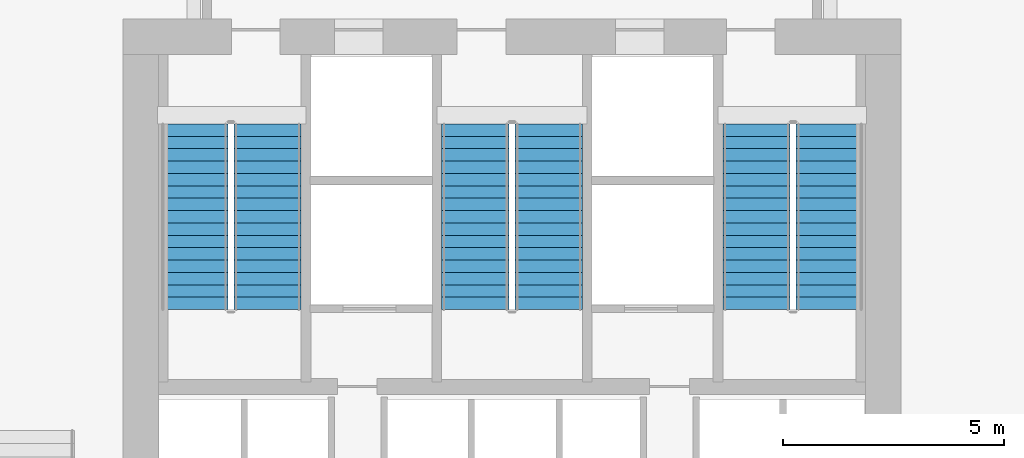
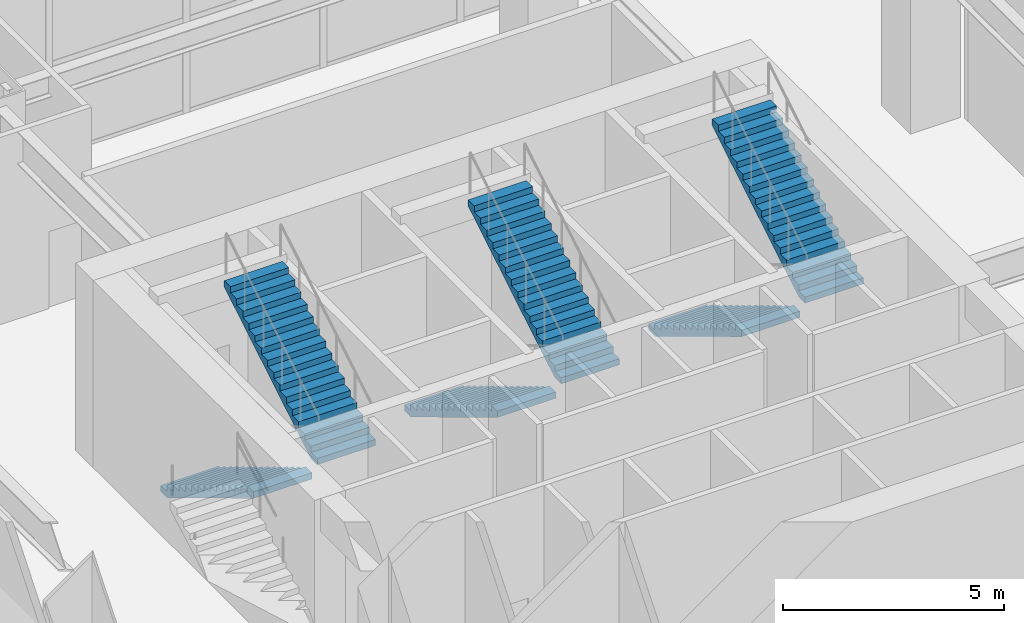
# One storey, part 31 of 37: 6 stair flights, 3 elements without a shape of their own.
"""IFC4 building model written with IfcOpenShell, lengths in metres."""

from ifc_helpers import new_model, si_unit, direction, frame, origin, place, context, subcontext, project, spatial, polyline, outline, extrude, material, type_object, element, aggregate, save


model = new_model("IFC4")

# Units and contexts
model_context = context("Model", 3, precision=1e-05, world=origin(), true_north=direction((0.0, 1.0)))
body_context = subcontext(model_context, "Body", "Model", "MODEL_VIEW")
ifc_project = project(units=[si_unit("LENGTHUNIT", "METRE"), si_unit("AREAUNIT", "SQUARE_METRE"), si_unit("VOLUMEUNIT", "CUBIC_METRE"), si_unit("PLANEANGLEUNIT", "RADIAN"), si_unit("MASSUNIT", "GRAM", prefix="KILO")], contexts=[model_context])

# Site, building, storey
site_placement = place(None, origin())
site = spatial("IfcSite", under=ifc_project, at=site_placement, CompositionType="ELEMENT")
building_placement = place(site_placement, origin())
building = spatial("IfcBuilding", under=site, at=building_placement, Name="Haolan Belvedere Tower", CompositionType="ELEMENT")
storey_placement = place(building_placement, frame((0.0, 0.0, 10.199951171875)))
storey = spatial("IfcBuildingStorey", under=building, at=storey_placement, Name="L02", CompositionType="ELEMENT", Elevation=10.199951171875)

# Stair, stair flights
ifc_material = material(Name="Concrete C40/50", Category="concrete")
stair_type = type_object("IfcStairType", Name="STR-DL-32R-169", PredefinedType="HALF_TURN_STAIR", material=ifc_material)
stair_1_placement = place(storey_placement, origin())
stair_1 = element("IfcStair", 1, at=stair_1_placement, inside=storey, type_object=stair_type, Name="L02 Smokeproof Core Exit Stair ST1", PredefinedType="HALF_TURN_STAIR")
stair_flight_type = type_object("IfcStairFlightType", Name="SFL-DL-16R-169", PredefinedType="STRAIGHT", material=ifc_material)
stair_flight_1_placement = place(storey_placement, frame((31.2099609375, 41.22998046875, 0.0), z_axis=(0.0, 0.0, 1.0), x_axis=(0.0, -1.0, 0.0)))
stair_flight_1 = element("IfcStairFlight", 2, at=stair_flight_1_placement, type_object=stair_flight_type, Name="ST1 flight 1", NumberOfRisers=16, NumberOfTreads=15, PredefinedType="STRAIGHT", RiserHeight=0.16875, TreadLength=0.28, context=body_context, shape_type="SweptSolid", body=[
    extrude(outline(polyline([(0.0, 0.0), (0.0, 0.168701171875), (0.280029296875, 0.168701171875), (0.280029296875, 0.33740234375), (0.56005859375, 0.33740234375), (0.56005859375, 0.50634765625), (0.840087890625, 0.50634765625), (0.840087890625, 0.675048828125), (1.1201171875, 0.675048828125), (1.1201171875, 0.84375), (1.39990234375, 0.84375), (1.39990234375, 1.012451171875), (1.679931640625, 1.012451171875), (1.679931640625, 1.18115234375), (1.9599609375, 1.18115234375), (1.9599609375, 1.35009765625), (2.239990234375, 1.35009765625), (2.239990234375, 1.518798828125), (2.52001953125, 1.518798828125), (2.52001953125, 1.6875), (2.800048828125, 1.6875), (2.800048828125, 1.856201171875), (3.080078125, 1.856201171875), (3.080078125, 2.02490234375), (3.360107421875, 2.02490234375), (3.360107421875, 2.19384765625), (3.639892578125, 2.19384765625), (3.639892578125, 2.362548828125), (3.919921875, 2.362548828125), (3.919921875, 2.53125), (4.199951171875, 2.53125), (4.199951171875, 2.699951171875), (4.199951171875, 2.356201171875), (0.29052734375, 0.0), (0.0, 0.0)])), frame((0.0, 0.760009765625, 0.0), z_axis=(0.0, -1.0, 0.0), x_axis=(1.0, 0.0, 0.0)), (0.0, 0.0, 1.0), 1.52001953125),
])
stair_flight_2_placement = place(storey_placement, frame((32.8701171875, 37.030029296875, 2.699951171875), z_axis=(0.0, 0.0, 1.0), x_axis=(0.0, 1.0, 0.0)))
stair_flight_2 = element("IfcStairFlight", 3, at=stair_flight_2_placement, type_object=stair_flight_type, Name="ST1 flight 2", NumberOfRisers=16, NumberOfTreads=15, PredefinedType="STRAIGHT", RiserHeight=0.16875, TreadLength=0.28, context=body_context, shape_type="SweptSolid", body=[
    extrude(outline(polyline([(0.0, 0.0), (0.0, 0.168701171875), (0.280029296875, 0.168701171875), (0.280029296875, 0.33740234375), (0.56005859375, 0.33740234375), (0.56005859375, 0.50634765625), (0.840087890625, 0.50634765625), (0.840087890625, 0.675048828125), (1.1201171875, 0.675048828125), (1.1201171875, 0.84375), (1.39990234375, 0.84375), (1.39990234375, 1.012451171875), (1.679931640625, 1.012451171875), (1.679931640625, 1.18115234375), (1.9599609375, 1.18115234375), (1.9599609375, 1.35009765625), (2.239990234375, 1.35009765625), (2.239990234375, 1.518798828125), (2.52001953125, 1.518798828125), (2.52001953125, 1.6875), (2.800048828125, 1.6875), (2.800048828125, 1.856201171875), (3.080078125, 1.856201171875), (3.080078125, 2.02490234375), (3.360107421875, 2.02490234375), (3.360107421875, 2.19384765625), (3.639892578125, 2.19384765625), (3.639892578125, 2.362548828125), (3.919921875, 2.362548828125), (3.919921875, 2.53125), (4.199951171875, 2.53125), (4.199951171875, 2.699951171875), (4.199951171875, 2.356201171875), (0.29052734375, 0.0), (0.0, 0.0)])), frame((0.0, 0.760009765625, 0.0), z_axis=(0.0, -1.0, 0.0), x_axis=(1.0, 0.0, 0.0)), (0.0, 0.0, 1.0), 1.52001953125),
])
aggregate(stair_1, [stair_flight_1, stair_flight_2])

stair_2_placement = place(storey_placement, origin())
stair_2 = element("IfcStair", 4, at=stair_2_placement, inside=storey, type_object=stair_type, Name="L02 Smokeproof Core Exit Stair ST3", PredefinedType="HALF_TURN_STAIR")
stair_flight_3_placement = place(storey_placement, frame((37.570068359375, 41.22998046875, 0.0), z_axis=(0.0, 0.0, 1.0), x_axis=(0.0, -1.0, 0.0)))
stair_flight_3 = element("IfcStairFlight", 5, at=stair_flight_3_placement, type_object=stair_flight_type, Name="ST3 flight 1", NumberOfRisers=16, NumberOfTreads=15, PredefinedType="STRAIGHT", RiserHeight=0.16875, TreadLength=0.28, context=body_context, shape_type="SweptSolid", body=[
    extrude(outline(polyline([(0.0, 0.0), (0.0, 0.168701171875), (0.280029296875, 0.168701171875), (0.280029296875, 0.33740234375), (0.56005859375, 0.33740234375), (0.56005859375, 0.50634765625), (0.840087890625, 0.50634765625), (0.840087890625, 0.675048828125), (1.1201171875, 0.675048828125), (1.1201171875, 0.84375), (1.39990234375, 0.84375), (1.39990234375, 1.012451171875), (1.679931640625, 1.012451171875), (1.679931640625, 1.18115234375), (1.9599609375, 1.18115234375), (1.9599609375, 1.35009765625), (2.239990234375, 1.35009765625), (2.239990234375, 1.518798828125), (2.52001953125, 1.518798828125), (2.52001953125, 1.6875), (2.800048828125, 1.6875), (2.800048828125, 1.856201171875), (3.080078125, 1.856201171875), (3.080078125, 2.02490234375), (3.360107421875, 2.02490234375), (3.360107421875, 2.19384765625), (3.639892578125, 2.19384765625), (3.639892578125, 2.362548828125), (3.919921875, 2.362548828125), (3.919921875, 2.53125), (4.199951171875, 2.53125), (4.199951171875, 2.699951171875), (4.199951171875, 2.356201171875), (0.29052734375, 0.0), (0.0, 0.0)])), frame((0.0, 0.760009765625, 0.0), z_axis=(0.0, -1.0, 0.0), x_axis=(1.0, 0.0, 0.0)), (0.0, 0.0, 1.0), 1.52001953125),
])
stair_flight_4_placement = place(storey_placement, frame((39.22998046875, 37.030029296875, 2.699951171875), z_axis=(0.0, 0.0, 1.0), x_axis=(0.0, 1.0, 0.0)))
stair_flight_4 = element("IfcStairFlight", 6, at=stair_flight_4_placement, type_object=stair_flight_type, Name="ST3 flight 2", NumberOfRisers=16, NumberOfTreads=15, PredefinedType="STRAIGHT", RiserHeight=0.16875, TreadLength=0.28, context=body_context, shape_type="SweptSolid", body=[
    extrude(outline(polyline([(0.0, 0.0), (0.0, 0.168701171875), (0.280029296875, 0.168701171875), (0.280029296875, 0.33740234375), (0.56005859375, 0.33740234375), (0.56005859375, 0.50634765625), (0.840087890625, 0.50634765625), (0.840087890625, 0.675048828125), (1.1201171875, 0.675048828125), (1.1201171875, 0.84375), (1.39990234375, 0.84375), (1.39990234375, 1.012451171875), (1.679931640625, 1.012451171875), (1.679931640625, 1.18115234375), (1.9599609375, 1.18115234375), (1.9599609375, 1.35009765625), (2.239990234375, 1.35009765625), (2.239990234375, 1.518798828125), (2.52001953125, 1.518798828125), (2.52001953125, 1.6875), (2.800048828125, 1.6875), (2.800048828125, 1.856201171875), (3.080078125, 1.856201171875), (3.080078125, 2.02490234375), (3.360107421875, 2.02490234375), (3.360107421875, 2.19384765625), (3.639892578125, 2.19384765625), (3.639892578125, 2.362548828125), (3.919921875, 2.362548828125), (3.919921875, 2.53125), (4.199951171875, 2.53125), (4.199951171875, 2.699951171875), (4.199951171875, 2.356201171875), (0.29052734375, 0.0), (0.0, 0.0)])), frame((0.0, 0.760009765625, 0.0), z_axis=(0.0, -1.0, 0.0), x_axis=(1.0, 0.0, 0.0)), (0.0, 0.0, 1.0), 1.52001953125),
])
aggregate(stair_2, [stair_flight_3, stair_flight_4])

stair_3_placement = place(storey_placement, origin())
stair_3 = element("IfcStair", 7, at=stair_3_placement, inside=storey, type_object=stair_type, Name="L02 Smokeproof Core Exit Stair ST2", PredefinedType="HALF_TURN_STAIR")
stair_flight_5_placement = place(storey_placement, frame((43.929931640625, 41.22998046875, 0.0), z_axis=(0.0, 0.0, 1.0), x_axis=(0.0, -1.0, 0.0)))
stair_flight_5 = element("IfcStairFlight", 8, at=stair_flight_5_placement, type_object=stair_flight_type, Name="ST2 flight 1", NumberOfRisers=16, NumberOfTreads=15, PredefinedType="STRAIGHT", RiserHeight=0.16875, TreadLength=0.28, context=body_context, shape_type="SweptSolid", body=[
    extrude(outline(polyline([(0.0, 0.0), (0.0, 0.168701171875), (0.280029296875, 0.168701171875), (0.280029296875, 0.33740234375), (0.56005859375, 0.33740234375), (0.56005859375, 0.50634765625), (0.840087890625, 0.50634765625), (0.840087890625, 0.675048828125), (1.1201171875, 0.675048828125), (1.1201171875, 0.84375), (1.39990234375, 0.84375), (1.39990234375, 1.012451171875), (1.679931640625, 1.012451171875), (1.679931640625, 1.18115234375), (1.9599609375, 1.18115234375), (1.9599609375, 1.35009765625), (2.239990234375, 1.35009765625), (2.239990234375, 1.518798828125), (2.52001953125, 1.518798828125), (2.52001953125, 1.6875), (2.800048828125, 1.6875), (2.800048828125, 1.856201171875), (3.080078125, 1.856201171875), (3.080078125, 2.02490234375), (3.360107421875, 2.02490234375), (3.360107421875, 2.19384765625), (3.639892578125, 2.19384765625), (3.639892578125, 2.362548828125), (3.919921875, 2.362548828125), (3.919921875, 2.53125), (4.199951171875, 2.53125), (4.199951171875, 2.699951171875), (4.199951171875, 2.356201171875), (0.29052734375, 0.0), (0.0, 0.0)])), frame((0.0, 0.760009765625, 0.0), z_axis=(0.0, -1.0, 0.0), x_axis=(1.0, 0.0, 0.0)), (0.0, 0.0, 1.0), 1.52001953125),
])
stair_flight_6_placement = place(storey_placement, frame((45.590087890625, 37.030029296875, 2.699951171875), z_axis=(0.0, 0.0, 1.0), x_axis=(0.0, 1.0, 0.0)))
stair_flight_6 = element("IfcStairFlight", 9, at=stair_flight_6_placement, type_object=stair_flight_type, Name="ST2 flight 2", NumberOfRisers=16, NumberOfTreads=15, PredefinedType="STRAIGHT", RiserHeight=0.16875, TreadLength=0.28, context=body_context, shape_type="SweptSolid", body=[
    extrude(outline(polyline([(0.0, 0.0), (0.0, 0.168701171875), (0.280029296875, 0.168701171875), (0.280029296875, 0.33740234375), (0.56005859375, 0.33740234375), (0.56005859375, 0.50634765625), (0.840087890625, 0.50634765625), (0.840087890625, 0.675048828125), (1.1201171875, 0.675048828125), (1.1201171875, 0.84375), (1.39990234375, 0.84375), (1.39990234375, 1.012451171875), (1.679931640625, 1.012451171875), (1.679931640625, 1.18115234375), (1.9599609375, 1.18115234375), (1.9599609375, 1.35009765625), (2.239990234375, 1.35009765625), (2.239990234375, 1.518798828125), (2.52001953125, 1.518798828125), (2.52001953125, 1.6875), (2.800048828125, 1.6875), (2.800048828125, 1.856201171875), (3.080078125, 1.856201171875), (3.080078125, 2.02490234375), (3.360107421875, 2.02490234375), (3.360107421875, 2.19384765625), (3.639892578125, 2.19384765625), (3.639892578125, 2.362548828125), (3.919921875, 2.362548828125), (3.919921875, 2.53125), (4.199951171875, 2.53125), (4.199951171875, 2.699951171875), (4.199951171875, 2.356201171875), (0.29052734375, 0.0), (0.0, 0.0)])), frame((0.0, 0.760009765625, 0.0), z_axis=(0.0, -1.0, 0.0), x_axis=(1.0, 0.0, 0.0)), (0.0, 0.0, 1.0), 1.52001953125),
])
aggregate(stair_3, [stair_flight_5, stair_flight_6])

save(model, "model.ifc")
